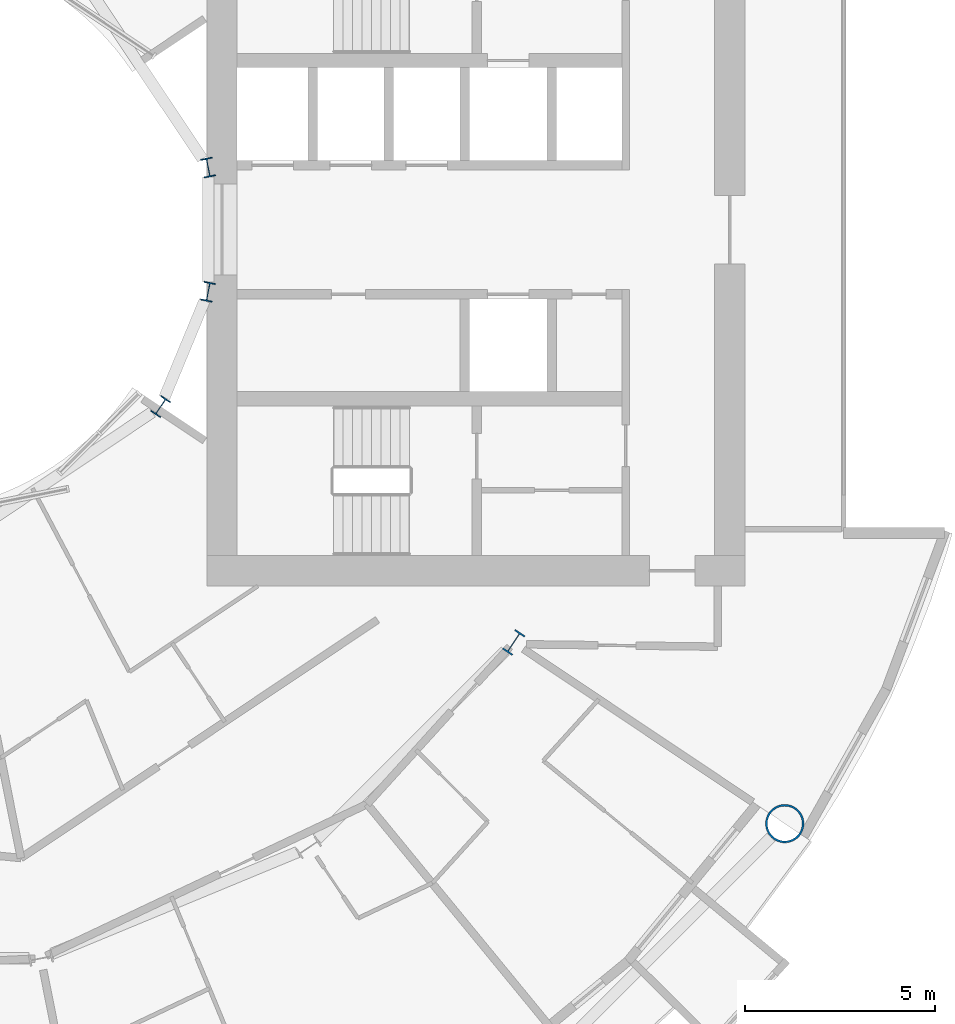
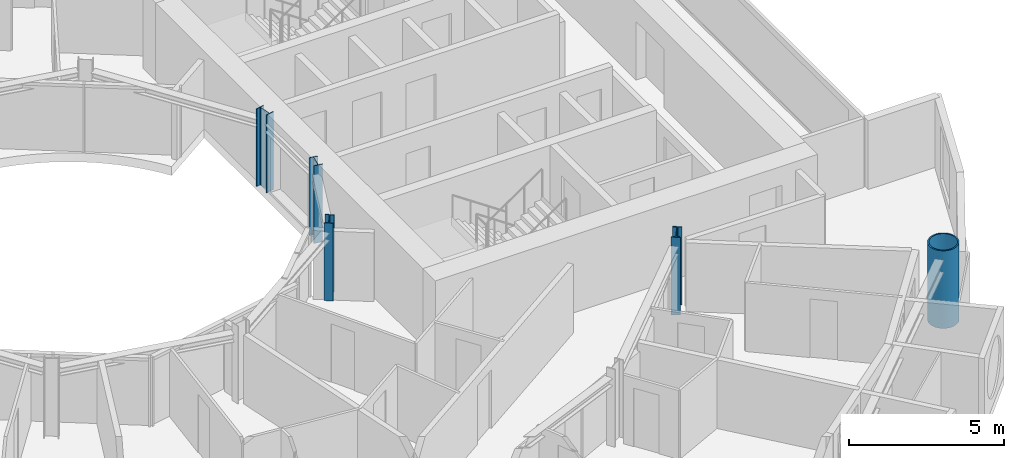
# One storey, part 2 of 26: 5 columns.
"""IFC4 building model written with IfcOpenShell, lengths in metres."""

from ifc_helpers import new_model, si_unit, direction, frame, origin, origin_2d, place, context, subcontext, project, spatial, hollow_circle, i_section, extrude, material, material_profile, profile_set, type_object, element, save


model = new_model("IFC4")

# Units and contexts
model_context = context("Model", 3, precision=1e-05, world=origin(), true_north=direction((0.0, 1.0)))
body_context = subcontext(model_context, "Body", "Model", "MODEL_VIEW")
ifc_project = project(units=[si_unit("LENGTHUNIT", "METRE"), si_unit("AREAUNIT", "SQUARE_METRE"), si_unit("VOLUMEUNIT", "CUBIC_METRE"), si_unit("PLANEANGLEUNIT", "RADIAN"), si_unit("MASSUNIT", "GRAM", prefix="KILO")], contexts=[model_context])

# Site, building, storey
site_placement = place(None, origin())
site = spatial("IfcSite", under=ifc_project, at=site_placement, CompositionType="ELEMENT")
building_placement = place(site_placement, origin())
building = spatial("IfcBuilding", under=site, at=building_placement, Name="Maasbend Ring Residences", CompositionType="ELEMENT")
storey_placement = place(building_placement, frame((0.0, 0.0, 22.800048828125)))
storey = spatial("IfcBuildingStorey", under=building, at=storey_placement, Name="L05", CompositionType="ELEMENT", Elevation=22.800048828125)

# Columns
ifc_material_1 = material(Name="Composite concrete-filled steel tube S460NH / C80/95", Category="concrete")
ifc_material_profile_1 = material_profile(ifc_material_1, hollow_circle(Radius=0.508056640625, WallThickness=0.050048828125, at=origin_2d()), Name="Composite tube column CHS 1016x50")
ifc_profile_set_1 = profile_set([ifc_material_profile_1], Name="Composite concrete-filled steel tube S460NH / C80/95")
column_type_1 = type_object("IfcColumnType", Name="Composite tube column CHS 1016x50", PredefinedType="COLUMN", material=ifc_profile_set_1)
column_1_placement = place(storey_placement, frame((23.447509765625, -15.6669921875, 0.0), z_axis=(0.0, 0.0, 1.0), x_axis=(1.0, 0.0, 0.0)))
element("IfcColumn", 1, at=column_1_placement, inside=storey, type_object=column_type_1, Name="Outer column R15", PredefinedType="COLUMN", context=body_context, shape_type="SweptSolid", body=[
    extrude(hollow_circle(Radius=0.508056640625, WallThickness=0.050048828125, at=origin_2d()), origin(), (0.0, 0.0, 1.0), 3.050048828125),
])
ifc_material_2 = material(Name="Steel S355J2", Category="steel")
ifc_material_profile_2 = material_profile(ifc_material_2, i_section(OverallWidth=0.300048828125, OverallDepth=0.5, WebThickness=0.014404296875, FlangeThickness=0.028076171875, FilletRadius=0.027099609375, at=origin_2d()), Name="HEB 500")
ifc_profile_set_2 = profile_set([ifc_material_profile_2], Name="Steel S355J2")
column_type_2 = type_object("IfcColumnType", Name="Steel column HEB 500", PredefinedType="COLUMN", material=ifc_profile_set_2)
for number, where, z_axis, x_axis, name in (
    (2, (8.238525390625, 1.638916015625, 0.0), (0.0, 0.0, 1.0), (0.980785280403, 0.195090322016, 0.0), "Well ring column R1"),
    (3, (6.984375, -4.666748046875, 0.0), (0.0, 0.0, 1.0), (0.831469612303, -0.55557023302, 0.0), "Well ring column R15"),
    (4, (8.238525390625, -1.638916015625, 0.0), (0.0, 0.0, 1.0), (0.980785280403, -0.195090322016, 0.0), "Well ring column R16"),
):
    element("IfcColumn", number, at=place(storey_placement, frame(where, z_axis=z_axis, x_axis=x_axis)), inside=storey, type_object=column_type_2, Name=name, PredefinedType="COLUMN", context=body_context, shape_type="SweptSolid", body=[
        extrude(i_section(OverallWidth=0.300048828125, OverallDepth=0.5, WebThickness=0.014404296875, FlangeThickness=0.028076171875, FilletRadius=0.027099609375, at=origin_2d()), origin(), (0.0, 0.0, 1.0), 3.050048828125),
    ])
ifc_material_3 = material(Name="Steel S460M", Category="steel")
ifc_material_profile_3 = material_profile(ifc_material_3, i_section(OverallWidth=0.304931640625, OverallDepth=0.6201171875, WebThickness=0.02099609375, FlangeThickness=0.0400390625, FilletRadius=0.027099609375, at=origin_2d()), Name="HEM 600")
ifc_profile_set_3 = profile_set([ifc_material_profile_3], Name="Steel S460M")
column_type_3 = type_object("IfcColumnType", Name="Steel column HEM 600", PredefinedType="COLUMN", material=ifc_profile_set_3)
column_2_placement = place(storey_placement, frame((16.296875, -10.88916015625, 0.0), z_axis=(0.0, 0.0, 1.0), x_axis=(0.831469612303, -0.55557023302, 0.0)))
element("IfcColumn", 5, at=column_2_placement, inside=storey, type_object=column_type_3, Name="Corridor ring column R15", PredefinedType="COLUMN", context=body_context, shape_type="SweptSolid", body=[
    extrude(i_section(OverallWidth=0.304931640625, OverallDepth=0.6201171875, WebThickness=0.02099609375, FlangeThickness=0.0400390625, FilletRadius=0.027099609375, at=origin_2d()), origin(), (0.0, 0.0, 1.0), 3.050048828125),
])

save(model, "model.ifc")
